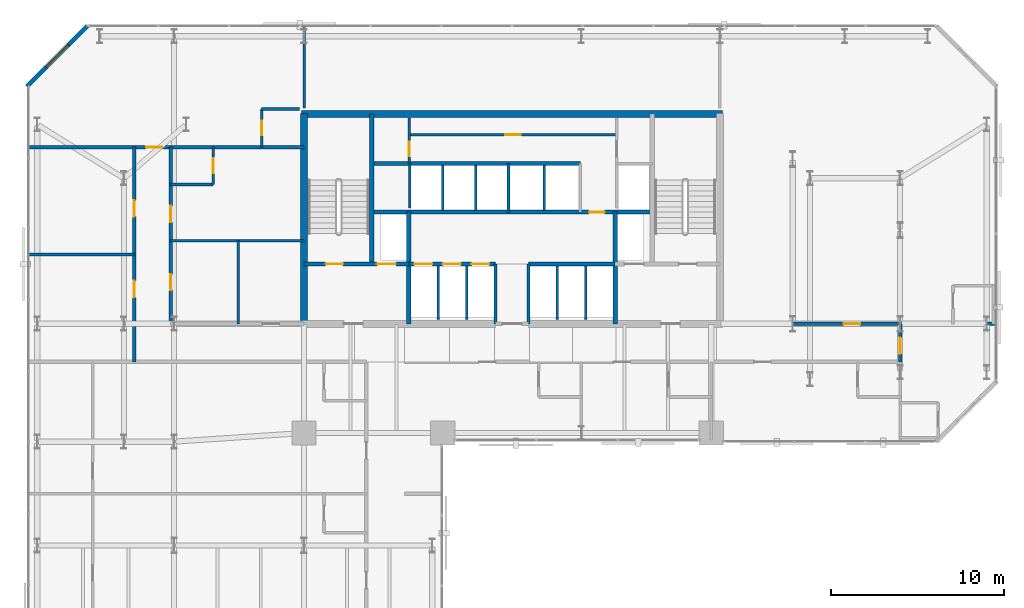
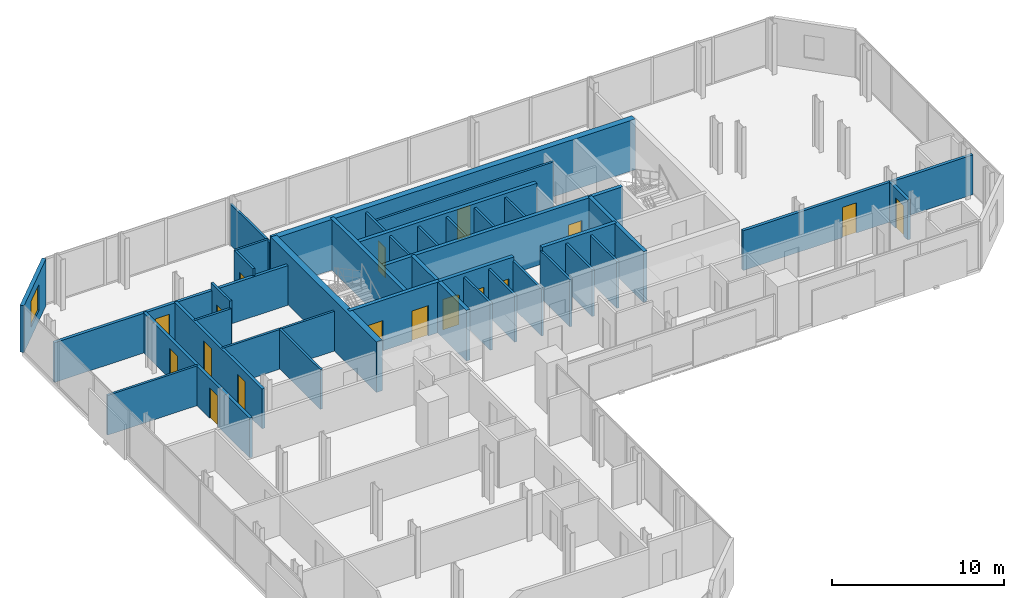
# One storey, part 30 of 33: 37 walls, 17 doors, 1 window, 18 openings.
"""IFC4 building model written with IfcOpenShell, lengths in metres."""

from ifc_helpers import new_model, si_unit, direction, frame, frame_2d, origin, place, context, subcontext, project, spatial, rectangle, extrude, material, layer, layer_set, type_object, element, fill, save


model = new_model("IFC4")

# Units and contexts
model_context = context("Model", 3, precision=1e-05, world=origin(), true_north=direction((0.0, 1.0)))
body_context = subcontext(model_context, "Body", "Model", "MODEL_VIEW")
ifc_project = project(units=[si_unit("LENGTHUNIT", "METRE"), si_unit("AREAUNIT", "SQUARE_METRE"), si_unit("VOLUMEUNIT", "CUBIC_METRE"), si_unit("PLANEANGLEUNIT", "RADIAN"), si_unit("MASSUNIT", "GRAM", prefix="KILO")], contexts=[model_context])

# Site, building, storey
site_placement = place(None, origin())
site = spatial("IfcSite", under=ifc_project, at=site_placement, CompositionType="ELEMENT")
building_placement = place(site_placement, origin())
building = spatial("IfcBuilding", under=site, at=building_placement, Name="Catumbela Crestline Tower", CompositionType="ELEMENT")
storey_placement = place(building_placement, frame((0.0, 0.0, 47.4)))
storey = spatial("IfcBuildingStorey", under=building, at=storey_placement, Name="L11", CompositionType="ELEMENT", Elevation=47.4)

# Walls
ifc_material_1 = material(Name="Concrete C50/60", Category="concrete")
ifc_layer_1 = layer(ifc_material_1, 0.25, Name="Concrete C50/60")
ifc_layer_set_1 = layer_set([ifc_layer_1], Name="Concrete C50/60")
wall_type_1 = type_object("IfcWallType", Name="CW-250D", PredefinedType="SHEAR", material=ifc_layer_set_1)
wall_1_placement = place(storey_placement, frame((19.9, 34.25, 0.0), z_axis=(0.0, 0.0, 1.0), x_axis=(0.0, 1.0, 0.0)))
element("IfcWall", 1, at=wall_1_placement, inside=storey, type_object=wall_type_1, Name="L11 Structural Core Shear Wall WWEB", PredefinedType="SHEAR", context=body_context, shape_type="SweptSolid", body=[
    extrude(rectangle(XDim=8.65, YDim=0.25, at=frame_2d((4.325, 0.0))), origin(), (0.0, 0.0, 1.0), 3.6),
])
for number, where, z_axis, x_axis, name in (
    (2, (22.05, 30.8, 0.0), (0.0, 0.0, 1.0), (0.0, 1.0, 0.0), "L11 Structural Core Shear Wall FFW"),
    (3, (33.95, 30.8, 0.0), (0.0, 0.0, 1.0), (0.0, 1.0, 0.0), "L11 Structural Core Shear Wall FFE"),
):
    element("IfcWall", number, at=place(storey_placement, frame(where, z_axis=z_axis, x_axis=x_axis)), inside=storey, type_object=wall_type_1, Name=name, PredefinedType="SHEAR", context=body_context, shape_type="SweptSolid", body=[
        extrude(rectangle(XDim=6.45, YDim=0.25, at=frame_2d((3.225, 0.0))), origin(), (0.0, 0.0, 1.0), 3.6),
    ])

# Wall, openings, doors
wall_2_placement = place(storey_placement, frame((16.0, 34.25, 0.0), z_axis=(0.0, 0.0, 1.0), x_axis=(1.0, 0.0, 0.0)))
wall_2 = element("IfcWall", 4, at=wall_2_placement, inside=storey, type_object=wall_type_1, Name="L11 Structural Core Shear Wall ST1S", PredefinedType="SHEAR", context=body_context, shape_type="SweptSolid", body=[
    extrude(rectangle(XDim=6.05, YDim=0.25, at=frame_2d((3.025, 0.0))), origin(), (0.0, 0.0, 1.0), 3.6),
])
opening_1_placement = place(wall_2_placement, frame((1.25, 0.0, 0.0)))
opening_1 = element("IfcOpeningElement", 5, at=opening_1_placement, cuts=wall_2, Name="Opening DF9-100", PredefinedType="OPENING", context=body_context, shape_type="SweptSolid", body=[
    extrude(rectangle(XDim=1.0, YDim=2.15, at=frame_2d((0.5, 1.075))), frame((0.0, 0.135, 0.0), z_axis=(0.0, -1.0, 0.0), x_axis=(1.0, 0.0, 0.0)), (0.0, 0.0, 1.0), 0.27),
])
opening_2_placement = place(wall_2_placement, frame((4.2, 0.0, 0.0)))
opening_2 = element("IfcOpeningElement", 6, at=opening_2_placement, cuts=wall_2, Name="Opening LD-110", PredefinedType="OPENING", context=body_context, shape_type="SweptSolid", body=[
    extrude(rectangle(XDim=1.1, YDim=2.15, at=frame_2d((0.55, 1.075))), frame((0.0, 0.135, 0.0), z_axis=(0.0, -1.0, 0.0), x_axis=(1.0, 0.0, 0.0)), (0.0, 0.0, 1.0), 0.27),
])
ifc_material_2 = material(Name="Stainless steel EN 1.4401", Category="steel")
door_type_1 = type_object("IfcDoorType", Name="DF9-100", OperationType="NOTDEFINED", PredefinedType="DOOR", material=ifc_material_2)
door_1_placement = place(opening_1_placement, origin())
door_1 = element("IfcDoor", 7, at=door_1_placement, inside=storey, type_object=door_type_1, Name="L11 Interior Door DR-L11-ST01", OperationType="SINGLE_SWING_LEFT", OverallHeight=2.15, OverallWidth=1.0, PredefinedType="DOOR", context=body_context, shape_type="SweptSolid", body=[
    extrude(rectangle(XDim=1.0, YDim=2.15, at=frame_2d((0.5, 1.075))), frame((0.0, 0.025, 0.0), z_axis=(0.0, -1.0, 0.0), x_axis=(1.0, 0.0, 0.0)), (0.0, 0.0, 1.0), 0.05),
])
fill(opening_1, door_1)
door_type_2 = type_object("IfcDoorType", Name="LD-110", OperationType="NOTDEFINED", PredefinedType="DOOR", material=ifc_material_2)
door_2_placement = place(opening_2_placement, origin())
door_2 = element("IfcDoor", 8, at=door_2_placement, inside=storey, type_object=door_type_2, Name="L11 Lift Landing Sliding Door FL-01", OperationType="DOUBLE_DOOR_SLIDING", OverallHeight=2.15, OverallWidth=1.1, PredefinedType="DOOR", context=body_context, shape_type="SweptSolid", body=[
    extrude(rectangle(XDim=1.1, YDim=2.15, at=frame_2d((0.55, 1.075))), frame((0.0, 0.025, 0.0), z_axis=(0.0, -1.0, 0.0), x_axis=(1.0, 0.0, 0.0)), (0.0, 0.0, 1.0), 0.05),
])
fill(opening_2, door_2)

wall_3_placement = place(storey_placement, frame((22.05, 34.25, 0.0), z_axis=(0.0, 0.0, 1.0), x_axis=(1.0, 0.0, 0.0)))
wall_3 = element("IfcWall", 9, at=wall_3_placement, inside=storey, type_object=wall_type_1, Name="L11 Structural Core Shear Wall LIFTS-W", PredefinedType="SHEAR", context=body_context, shape_type="SweptSolid", body=[
    extrude(rectangle(XDim=5.0, YDim=0.25, at=frame_2d((2.5, 0.0))), origin(), (0.0, 0.0, 1.0), 3.6),
])
opening_3_placement = place(wall_3_placement, frame((0.3, 0.0, 0.0)))
opening_3 = element("IfcOpeningElement", 10, at=opening_3_placement, cuts=wall_3, Name="Opening LD-105", PredefinedType="OPENING", context=body_context, shape_type="SweptSolid", body=[
    extrude(rectangle(XDim=1.05, YDim=2.15, at=frame_2d((0.525, 1.075))), frame((0.0, 0.135, 0.0), z_axis=(0.0, -1.0, 0.0), x_axis=(1.0, 0.0, 0.0)), (0.0, 0.0, 1.0), 0.27),
])
opening_4_placement = place(wall_3_placement, frame((1.95, 0.0, 0.0)))
opening_4 = element("IfcOpeningElement", 11, at=opening_4_placement, cuts=wall_3, Name="Opening LD-105", PredefinedType="OPENING", context=body_context, shape_type="SweptSolid", body=[
    extrude(rectangle(XDim=1.05, YDim=2.15, at=frame_2d((0.525, 1.075))), frame((0.0, 0.135, 0.0), z_axis=(0.0, -1.0, 0.0), x_axis=(1.0, 0.0, 0.0)), (0.0, 0.0, 1.0), 0.27),
])
opening_5_placement = place(wall_3_placement, frame((3.6, 0.0, 0.0)))
opening_5 = element("IfcOpeningElement", 12, at=opening_5_placement, cuts=wall_3, Name="Opening LD-105", PredefinedType="OPENING", context=body_context, shape_type="SweptSolid", body=[
    extrude(rectangle(XDim=1.05, YDim=2.15, at=frame_2d((0.525, 1.075))), frame((0.0, 0.135, 0.0), z_axis=(0.0, -1.0, 0.0), x_axis=(1.0, 0.0, 0.0)), (0.0, 0.0, 1.0), 0.27),
])
door_type_3 = type_object("IfcDoorType", Name="LD-105", OperationType="NOTDEFINED", PredefinedType="DOOR", material=ifc_material_2)
door_3_placement = place(opening_3_placement, origin())
door_3 = element("IfcDoor", 13, at=door_3_placement, inside=storey, type_object=door_type_3, Name="L11 Lift Landing Sliding Door PL-L1", OperationType="DOUBLE_DOOR_SLIDING", OverallHeight=2.15, OverallWidth=1.05, PredefinedType="DOOR", context=body_context, shape_type="SweptSolid", body=[
    extrude(rectangle(XDim=1.05, YDim=2.15, at=frame_2d((0.525, 1.075))), frame((0.0, 0.025, 0.0), z_axis=(0.0, -1.0, 0.0), x_axis=(1.0, 0.0, 0.0)), (0.0, 0.0, 1.0), 0.05),
])
fill(opening_3, door_3)
door_4_placement = place(opening_4_placement, origin())
door_4 = element("IfcDoor", 14, at=door_4_placement, inside=storey, type_object=door_type_3, Name="L11 Lift Landing Sliding Door PL-L2", OperationType="DOUBLE_DOOR_SLIDING", OverallHeight=2.15, OverallWidth=1.05, PredefinedType="DOOR", context=body_context, shape_type="SweptSolid", body=[
    extrude(rectangle(XDim=1.05, YDim=2.15, at=frame_2d((0.525, 1.075))), frame((0.0, 0.025, 0.0), z_axis=(0.0, -1.0, 0.0), x_axis=(1.0, 0.0, 0.0)), (0.0, 0.0, 1.0), 0.05),
])
fill(opening_4, door_4)
door_5_placement = place(opening_5_placement, origin())
door_5 = element("IfcDoor", 15, at=door_5_placement, inside=storey, type_object=door_type_3, Name="L11 Lift Landing Sliding Door PL-L3", OperationType="DOUBLE_DOOR_SLIDING", OverallHeight=2.15, OverallWidth=1.05, PredefinedType="DOOR", context=body_context, shape_type="SweptSolid", body=[
    extrude(rectangle(XDim=1.05, YDim=2.15, at=frame_2d((0.525, 1.075))), frame((0.0, 0.025, 0.0), z_axis=(0.0, -1.0, 0.0), x_axis=(1.0, 0.0, 0.0)), (0.0, 0.0, 1.0), 0.05),
])
fill(opening_5, door_5)

# Wall
wall_4_placement = place(storey_placement, frame((28.95, 34.25, 0.0), z_axis=(0.0, 0.0, 1.0), x_axis=(1.0, 0.0, 0.0)))
element("IfcWall", 16, at=wall_4_placement, inside=storey, type_object=wall_type_1, Name="L11 Structural Core Shear Wall LIFTS-E", PredefinedType="SHEAR", context=body_context, shape_type="SweptSolid", body=[
    extrude(rectangle(XDim=5.0, YDim=0.25, at=frame_2d((2.5, 0.0))), origin(), (0.0, 0.0, 1.0), 3.6),
])

# Wall, opening, door
wall_5_placement = place(storey_placement, frame((19.9, 37.25, 0.0), z_axis=(0.0, 0.0, 1.0), x_axis=(1.0, 0.0, 0.0)))
wall_5 = element("IfcWall", 17, at=wall_5_placement, inside=storey, type_object=wall_type_1, Name="L11 Structural Core Shear Wall LIFTN", PredefinedType="SHEAR", context=body_context, shape_type="SweptSolid", body=[
    extrude(rectangle(XDim=16.2, YDim=0.25, at=frame_2d((8.1, 0.0))), origin(), (0.0, 0.0, 1.0), 3.6),
])
opening_6_placement = place(wall_5_placement, frame((12.55, 0.0, 0.0)))
opening_6 = element("IfcOpeningElement", 18, at=opening_6_placement, cuts=wall_5, Name="Opening DF9-090", PredefinedType="OPENING", context=body_context, shape_type="SweptSolid", body=[
    extrude(rectangle(XDim=0.9, YDim=2.15, at=frame_2d((0.45, 1.075))), frame((0.0, 0.135, 0.0), z_axis=(0.0, -1.0, 0.0), x_axis=(1.0, 0.0, 0.0)), (0.0, 0.0, 1.0), 0.27),
])
door_type_4 = type_object("IfcDoorType", Name="DF9-090", OperationType="NOTDEFINED", PredefinedType="DOOR", material=ifc_material_2)
door_6_placement = place(opening_6_placement, origin())
door_6 = element("IfcDoor", 19, at=door_6_placement, inside=storey, type_object=door_type_4, Name="L11 Interior Door DR-L11-CPAS1", OperationType="SINGLE_SWING_LEFT", OverallHeight=2.15, OverallWidth=0.9, PredefinedType="DOOR", context=body_context, shape_type="SweptSolid", body=[
    extrude(rectangle(XDim=0.9, YDim=2.15, at=frame_2d((0.45, 1.075))), frame((0.0, 0.025, 0.0), z_axis=(0.0, -1.0, 0.0), x_axis=(1.0, 0.0, 0.0)), (0.0, 0.0, 1.0), 0.05),
])
fill(opening_6, door_6)

# Walls
wall_6_placement = place(storey_placement, frame((19.9, 40.05, 0.0), z_axis=(0.0, 0.0, 1.0), x_axis=(1.0, 0.0, 0.0)))
element("IfcWall", 20, at=wall_6_placement, inside=storey, type_object=wall_type_1, Name="L11 Structural Core Shear Wall COREN", PredefinedType="SHEAR", context=body_context, shape_type="SweptSolid", body=[
    extrude(rectangle(XDim=12.05, YDim=0.25, at=frame_2d((6.025, 0.0))), origin(), (0.0, 0.0, 1.0), 3.6),
])
ifc_material_3 = material(Name="Concrete C60/75", Category="concrete")
ifc_layer_2 = layer(ifc_material_3, 0.4, Name="Concrete C60/75")
ifc_layer_set_2 = layer_set([ifc_layer_2], Name="Concrete C60/75")
wall_type_2 = type_object("IfcWallType", Name="CW-400A", PredefinedType="SHEAR", material=ifc_layer_set_2)
wall_7_placement = place(storey_placement, frame((16.0, 30.65, 0.0), z_axis=(0.0, 0.0, 1.0), x_axis=(0.0, 1.0, 0.0)))
element("IfcWall", 21, at=wall_7_placement, inside=storey, type_object=wall_type_2, Name="L11 Structural Core Shear Wall W", PredefinedType="SHEAR", context=body_context, shape_type="SweptSolid", body=[
    extrude(rectangle(XDim=12.3, YDim=0.4, at=frame_2d((6.15, 0.0))), origin(), (0.0, 0.0, 1.0), 3.6),
])
wall_8_placement = place(storey_placement, frame((15.85, 42.9, 0.0), z_axis=(0.0, 0.0, 1.0), x_axis=(1.0, 0.0, 0.0)))
element("IfcWall", 22, at=wall_8_placement, inside=storey, type_object=wall_type_2, Name="L11 Structural Core Shear Wall N", PredefinedType="SHEAR", context=body_context, shape_type="SweptSolid", body=[
    extrude(rectangle(XDim=24.3, YDim=0.4, at=frame_2d((12.15, 0.0))), origin(), (0.0, 0.0, 1.0), 3.6),
])

# Wall, openings, doors
ifc_material_4 = material(Name="Acoustic gypsum and mineral-wool partition")
ifc_layer_3 = layer(ifc_material_4, 0.2, Name="Acoustic gypsum and mineral-wool partition")
ifc_layer_set_3 = layer_set([ifc_layer_3], Name="Acoustic gypsum and mineral-wool partition")
wall_type_3 = type_object("IfcWallType", Name="WC-200", PredefinedType="PARTITIONING", material=ifc_layer_set_3)
wall_9_placement = place(storey_placement, frame((8.3, 30.8, 0.0), z_axis=(0.0, 0.0, 1.0), x_axis=(0.0, 1.0, 0.0)))
wall_9 = element("IfcWall", 23, at=wall_9_placement, inside=storey, type_object=wall_type_3, Name="L11 Interior Partition PW-L11-AWC-W", PredefinedType="PARTITIONING", context=body_context, shape_type="SweptSolid", body=[
    extrude(rectangle(XDim=10.2, YDim=0.2, at=frame_2d((5.1, 0.0))), origin(), (0.0, 0.0, 1.0), 2.82),
])
opening_7_placement = place(wall_9_placement, frame((1.95, 0.0, 0.0)))
opening_7 = element("IfcOpeningElement", 24, at=opening_7_placement, cuts=wall_9, Name="Opening DI-090", PredefinedType="OPENING", context=body_context, shape_type="SweptSolid", body=[
    extrude(rectangle(XDim=0.9, YDim=2.15, at=frame_2d((0.45, 1.075))), frame((0.0, 0.11, 0.0), z_axis=(0.0, -1.0, 0.0), x_axis=(1.0, 0.0, 0.0)), (0.0, 0.0, 1.0), 0.22),
])
opening_8_placement = place(wall_9_placement, frame((5.8605, 0.0, 0.0)))
opening_8 = element("IfcOpeningElement", 25, at=opening_8_placement, cuts=wall_9, Name="Opening DF6-095", PredefinedType="OPENING", context=body_context, shape_type="SweptSolid", body=[
    extrude(rectangle(XDim=0.95, YDim=2.15, at=frame_2d((0.475, 1.075))), frame((0.0, 0.11, 0.0), z_axis=(0.0, -1.0, 0.0), x_axis=(1.0, 0.0, 0.0)), (0.0, 0.0, 1.0), 0.22),
])
ifc_material_5 = material(Name="Aluminium alloy AW-6060-T66", Category="aluminium")
door_type_5 = type_object("IfcDoorType", Name="DF6-095", OperationType="NOTDEFINED", PredefinedType="DOOR", material=ifc_material_5)
door_7_placement = place(opening_8_placement, origin())
door_7 = element("IfcDoor", 26, at=door_7_placement, inside=storey, type_object=door_type_5, Name="L11 Interior Door DR-L11-FSN-ENT", OperationType="SINGLE_SWING_RIGHT", OverallHeight=2.15, OverallWidth=0.95, PredefinedType="DOOR", context=body_context, shape_type="SweptSolid", body=[
    extrude(rectangle(XDim=0.95, YDim=2.15, at=frame_2d((0.475, 1.075))), frame((0.0, 0.025, 0.0), z_axis=(0.0, -1.0, 0.0), x_axis=(1.0, 0.0, 0.0)), (0.0, 0.0, 1.0), 0.05),
])
fill(opening_8, door_7)
door_type_6 = type_object("IfcDoorType", Name="DI-090", OperationType="NOTDEFINED", PredefinedType="DOOR", material=ifc_material_5)
door_8_placement = place(opening_7_placement, origin())
door_8 = element("IfcDoor", 27, at=door_8_placement, inside=storey, type_object=door_type_6, Name="L11 Interior Door DR-L11-STWC", OperationType="SINGLE_SWING_RIGHT", OverallHeight=2.15, OverallWidth=0.9, PredefinedType="DOOR", context=body_context, shape_type="SweptSolid", body=[
    extrude(rectangle(XDim=0.9, YDim=2.15, at=frame_2d((0.45, 1.075))), frame((0.0, 0.025, 0.0), z_axis=(0.0, -1.0, 0.0), x_axis=(1.0, 0.0, 0.0)), (0.0, 0.0, 1.0), 0.05),
])
fill(opening_7, door_8)

# Wall, opening, door
wall_10_placement = place(storey_placement, frame((0.1, 41.0, 0.0), z_axis=(0.0, 0.0, 1.0), x_axis=(1.0, 0.0, 0.0)))
wall_10 = element("IfcWall", 28, at=wall_10_placement, inside=storey, type_object=wall_type_3, Name="L11 Interior Partition PW-L11-NWTOP-ENT", PredefinedType="PARTITIONING", context=body_context, shape_type="SweptSolid", body=[
    extrude(rectangle(XDim=15.9, YDim=0.2, at=frame_2d((7.95, 0.0))), origin(), (0.0, 0.0, 1.0), 2.82),
])
opening_9_placement = place(wall_10_placement, frame((6.7788, 0.0, 0.0)))
opening_9 = element("IfcOpeningElement", 29, at=opening_9_placement, cuts=wall_10, Name="Opening DF6-095", PredefinedType="OPENING", context=body_context, shape_type="SweptSolid", body=[
    extrude(rectangle(XDim=0.95, YDim=2.15, at=frame_2d((0.475, 1.075))), frame((0.0, 0.11, 0.0), z_axis=(0.0, -1.0, 0.0), x_axis=(1.0, 0.0, 0.0)), (0.0, 0.0, 1.0), 0.22),
])
door_9_placement = place(opening_9_placement, origin())
door_9 = element("IfcDoor", 30, at=door_9_placement, inside=storey, type_object=door_type_5, Name="L11 Interior Door DR-L11-NWTOP-ENT", OperationType="SINGLE_SWING_LEFT", OverallHeight=2.15, OverallWidth=0.95, PredefinedType="DOOR", context=body_context, shape_type="SweptSolid", body=[
    extrude(rectangle(XDim=0.95, YDim=2.15, at=frame_2d((0.475, 1.075))), frame((0.0, 0.025, 0.0), z_axis=(0.0, -1.0, 0.0), x_axis=(1.0, 0.0, 0.0)), (0.0, 0.0, 1.0), 0.05),
])
fill(opening_9, door_9)

# Wall, openings, doors
wall_11_placement = place(storey_placement, frame((6.2, 28.6, 0.0), z_axis=(0.0, 0.0, 1.0), x_axis=(0.0, 1.0, 0.0)))
wall_11 = element("IfcWall", 31, at=wall_11_placement, inside=storey, type_object=wall_type_3, Name="L11 Interior Partition PW-L11-KCLB-ENT", PredefinedType="PARTITIONING", context=body_context, shape_type="SweptSolid", body=[
    extrude(rectangle(XDim=12.4, YDim=0.2, at=frame_2d((6.2, 0.0))), origin(), (0.0, 0.0, 1.0), 2.82),
])
opening_10_placement = place(wall_11_placement, frame((3.725, 0.0, 0.0)))
opening_10 = element("IfcOpeningElement", 32, at=opening_10_placement, cuts=wall_11, Name="Opening DF6-095", PredefinedType="OPENING", context=body_context, shape_type="SweptSolid", body=[
    extrude(rectangle(XDim=0.95, YDim=2.15, at=frame_2d((0.475, 1.075))), frame((0.0, 0.11, 0.0), z_axis=(0.0, -1.0, 0.0), x_axis=(1.0, 0.0, 0.0)), (0.0, 0.0, 1.0), 0.22),
])
opening_11_placement = place(wall_11_placement, frame((8.3808, 0.0, 0.0)))
opening_11 = element("IfcOpeningElement", 33, at=opening_11_placement, cuts=wall_11, Name="Opening DF6-095", PredefinedType="OPENING", context=body_context, shape_type="SweptSolid", body=[
    extrude(rectangle(XDim=0.95, YDim=2.15, at=frame_2d((0.475, 1.075))), frame((0.0, 0.11, 0.0), z_axis=(0.0, -1.0, 0.0), x_axis=(1.0, 0.0, 0.0)), (0.0, 0.0, 1.0), 0.22),
])
door_10_placement = place(opening_10_placement, origin())
door_10 = element("IfcDoor", 34, at=door_10_placement, inside=storey, type_object=door_type_5, Name="L11 Interior Door DR-L11-KCLB-ENT", OperationType="SINGLE_SWING_LEFT", OverallHeight=2.15, OverallWidth=0.95, PredefinedType="DOOR", context=body_context, shape_type="SweptSolid", body=[
    extrude(rectangle(XDim=0.95, YDim=2.15, at=frame_2d((0.475, 1.075))), frame((0.0, 0.025, 0.0), z_axis=(0.0, -1.0, 0.0), x_axis=(1.0, 0.0, 0.0)), (0.0, 0.0, 1.0), 0.05),
])
fill(opening_10, door_10)
door_11_placement = place(opening_11_placement, origin())
door_11 = element("IfcDoor", 35, at=door_11_placement, inside=storey, type_object=door_type_5, Name="L11 Interior Door DR-L11-FKIT-ENT", OperationType="SINGLE_SWING_LEFT", OverallHeight=2.15, OverallWidth=0.95, PredefinedType="DOOR", context=body_context, shape_type="SweptSolid", body=[
    extrude(rectangle(XDim=0.95, YDim=2.15, at=frame_2d((0.475, 1.075))), frame((0.0, 0.025, 0.0), z_axis=(0.0, -1.0, 0.0), x_axis=(1.0, 0.0, 0.0)), (0.0, 0.0, 1.0), 0.05),
])
fill(opening_11, door_11)

# Wall, opening, door
wall_12_placement = place(storey_placement, frame((40.47, 30.8, 0.0), z_axis=(0.0, 0.0, 1.0), x_axis=(1.0, 0.0, 0.0)))
wall_12 = element("IfcWall", 36, at=wall_12_placement, inside=storey, type_object=wall_type_3, Name="L11 Interior Partition PW-L11-NES-ENT", PredefinedType="PARTITIONING", context=body_context, shape_type="SweptSolid", body=[
    extrude(rectangle(XDim=15.43, YDim=0.2, at=frame_2d((7.715, 0.0))), origin(), (0.0, 0.0, 1.0), 2.82),
])
opening_12_placement = place(wall_12_placement, frame((6.6725, 0.0, 0.0)))
opening_12 = element("IfcOpeningElement", 37, at=opening_12_placement, cuts=wall_12, Name="Opening DF6-095", PredefinedType="OPENING", context=body_context, shape_type="SweptSolid", body=[
    extrude(rectangle(XDim=0.95, YDim=2.15, at=frame_2d((0.475, 1.075))), frame((0.0, 0.11, 0.0), z_axis=(0.0, -1.0, 0.0), x_axis=(1.0, 0.0, 0.0)), (0.0, 0.0, 1.0), 0.22),
])
door_12_placement = place(opening_12_placement, origin())
door_12 = element("IfcDoor", 38, at=door_12_placement, inside=storey, type_object=door_type_5, Name="L11 Interior Door DR-L11-NES-ENT", OperationType="SINGLE_SWING_LEFT", OverallHeight=2.15, OverallWidth=0.95, PredefinedType="DOOR", context=body_context, shape_type="SweptSolid", body=[
    extrude(rectangle(XDim=0.95, YDim=2.15, at=frame_2d((0.475, 1.075))), frame((0.0, 0.025, 0.0), z_axis=(0.0, -1.0, 0.0), x_axis=(1.0, 0.0, 0.0)), (0.0, 0.0, 1.0), 0.05),
])
fill(opening_12, door_12)

wall_13_placement = place(storey_placement, frame((50.4, 28.6, 0.0), z_axis=(0.0, 0.0, 1.0), x_axis=(0.0, 1.0, 0.0)))
wall_13 = element("IfcWall", 39, at=wall_13_placement, inside=storey, type_object=wall_type_3, Name="L11 Interior Partition PW-L11-NESE-ENT", PredefinedType="PARTITIONING", context=body_context, shape_type="SweptSolid", body=[
    extrude(rectangle(XDim=2.2, YDim=0.2, at=frame_2d((1.1, 0.0))), origin(), (0.0, 0.0, 1.0), 2.82),
])
opening_13_placement = place(wall_13_placement, frame((0.46, 0.0, 0.0)))
opening_13 = element("IfcOpeningElement", 40, at=opening_13_placement, cuts=wall_13, Name="Opening DF6-095", PredefinedType="OPENING", context=body_context, shape_type="SweptSolid", body=[
    extrude(rectangle(XDim=0.95, YDim=2.15, at=frame_2d((0.475, 1.075))), frame((0.0, 0.11, 0.0), z_axis=(0.0, -1.0, 0.0), x_axis=(1.0, 0.0, 0.0)), (0.0, 0.0, 1.0), 0.22),
])
door_13_placement = place(opening_13_placement, origin())
door_13 = element("IfcDoor", 41, at=door_13_placement, inside=storey, type_object=door_type_5, Name="L11 Interior Door DR-L11-NESE-ENT", OperationType="SINGLE_SWING_RIGHT", OverallHeight=2.15, OverallWidth=0.95, PredefinedType="DOOR", context=body_context, shape_type="SweptSolid", body=[
    extrude(rectangle(XDim=0.95, YDim=2.15, at=frame_2d((0.475, 1.075))), frame((0.0, 0.025, 0.0), z_axis=(0.0, -1.0, 0.0), x_axis=(1.0, 0.0, 0.0)), (0.0, 0.0, 1.0), 0.05),
])
fill(opening_13, door_13)

# Wall, opening, window
ifc_material_6 = material(Name="Angolan grey-ochre granite", Category="masonry")
ifc_layer_4 = layer(ifc_material_6, 0.25, Name="Angolan grey-ochre granite")
ifc_layer_set_4 = layer_set([ifc_layer_4], Name="Angolan grey-ochre granite")
wall_type_4 = type_object("IfcWallType", Name="WE-250", PredefinedType="STANDARD", material=ifc_layer_set_4)
wall_14_placement = place(storey_placement, frame((3.5, 48.0, 0.0), z_axis=(0.0, 0.0, 1.0), x_axis=(-0.707106781187, -0.707106781187, 0.0)))
wall_14 = element("IfcWall", 42, at=wall_14_placement, inside=storey, type_object=wall_type_4, Name="L11 Granite Punched Window Wall 8-1", PredefinedType="STANDARD", context=body_context, shape_type="SweptSolid", body=[
    extrude(rectangle(XDim=4.9497, YDim=0.25, at=frame_2d((2.4748, 0.0))), origin(), (0.0, 0.0, 1.0), 3.33),
])
opening_14_placement = place(wall_14_placement, frame((1.5749, 0.0, 0.75)))
opening_14 = element("IfcOpeningElement", 43, at=opening_14_placement, cuts=wall_14, Name="Opening WN-01", PredefinedType="OPENING", context=body_context, shape_type="SweptSolid", body=[
    extrude(rectangle(XDim=1.8, YDim=1.85, at=frame_2d((0.9, 0.925))), frame((0.0, 0.135, 0.0), z_axis=(0.0, -1.0, 0.0), x_axis=(1.0, 0.0, 0.0)), (0.0, 0.0, 1.0), 0.27),
])
ifc_material_7 = material(Name="Low-E laminated solar-control double glazing", Category="glass")
window_type = type_object("IfcWindowType", Name="WF-1800", PartitioningType="SINGLE_PANEL", PredefinedType="WINDOW", material=ifc_material_7)
window_placement = place(opening_14_placement, origin())
window = element("IfcWindow", 44, at=window_placement, inside=storey, type_object=window_type, Name="L11 Facade Vision Window 81", OverallHeight=1.85, OverallWidth=1.8, PartitioningType="SINGLE_PANEL", PredefinedType="WINDOW", context=body_context, shape_type="SweptSolid", body=[
    extrude(rectangle(XDim=1.8, YDim=1.85, at=frame_2d((0.9, 0.925))), frame((0.0, 0.03, 0.0), z_axis=(0.0, -1.0, 0.0), x_axis=(1.0, 0.0, 0.0)), (0.0, 0.0, 1.0), 0.06),
])
fill(opening_14, window)

# Wall, opening, door
ifc_layer_5 = layer(ifc_material_4, 0.15, Name="Acoustic gypsum and mineral-wool partition")
ifc_layer_set_5 = layer_set([ifc_layer_5], Name="Acoustic gypsum and mineral-wool partition")
wall_type_5 = type_object("IfcWallType", Name="WP-150", PredefinedType="PARTITIONING", material=ifc_layer_set_5)
wall_15_placement = place(storey_placement, frame((22.08, 40.05, 0.0), z_axis=(0.0, 0.0, 1.0), x_axis=(0.0, 1.0, 0.0)))
wall_15 = element("IfcWall", 45, at=wall_15_placement, inside=storey, type_object=wall_type_5, Name="L11 Interior Partition PW-L11-CR-WCW", PredefinedType="PARTITIONING", context=body_context, shape_type="SweptSolid", body=[
    extrude(rectangle(XDim=2.63, YDim=0.15, at=frame_2d((1.315, 0.0))), origin(), (0.0, 0.0, 1.0), 3.33),
])
opening_15_placement = place(wall_15_placement, frame((0.41, 0.0, 0.0)))
opening_15 = element("IfcOpeningElement", 46, at=opening_15_placement, cuts=wall_15, Name="Opening DI-085", PredefinedType="OPENING", context=body_context, shape_type="SweptSolid", body=[
    extrude(rectangle(XDim=0.85, YDim=2.15, at=frame_2d((0.425, 1.075))), frame((0.0, 0.085, 0.0), z_axis=(0.0, -1.0, 0.0), x_axis=(1.0, 0.0, 0.0)), (0.0, 0.0, 1.0), 0.17),
])
door_type_7 = type_object("IfcDoorType", Name="DI-085", OperationType="NOTDEFINED", PredefinedType="DOOR", material=ifc_material_5)
door_14_placement = place(opening_15_placement, origin())
door_14 = element("IfcDoor", 47, at=door_14_placement, inside=storey, type_object=door_type_7, Name="L11 Interior Door DR-L11-CRWC", OperationType="SINGLE_SWING_LEFT", OverallHeight=2.15, OverallWidth=0.85, PredefinedType="DOOR", context=body_context, shape_type="SweptSolid", body=[
    extrude(rectangle(XDim=0.85, YDim=2.15, at=frame_2d((0.425, 1.075))), frame((0.0, 0.025, 0.0), z_axis=(0.0, -1.0, 0.0), x_axis=(1.0, 0.0, 0.0)), (0.0, 0.0, 1.0), 0.05),
])
fill(opening_15, door_14)

wall_16_placement = place(storey_placement, frame((22.08, 41.72, 0.0), z_axis=(0.0, 0.0, 1.0), x_axis=(1.0, 0.0, 0.0)))
wall_16 = element("IfcWall", 48, at=wall_16_placement, inside=storey, type_object=wall_type_5, Name="L11 Interior Partition PW-L11-CR-MID", PredefinedType="PARTITIONING", context=body_context, shape_type="SweptSolid", body=[
    extrude(rectangle(XDim=11.97, YDim=0.15, at=frame_2d((5.985, 0.0))), origin(), (0.0, 0.0, 1.0), 3.33),
])
opening_16_placement = place(wall_16_placement, frame((5.535, 0.0, 0.0)))
opening_16 = element("IfcOpeningElement", 49, at=opening_16_placement, cuts=wall_16, Name="Opening DF9-090", PredefinedType="OPENING", context=body_context, shape_type="SweptSolid", body=[
    extrude(rectangle(XDim=0.9, YDim=2.15, at=frame_2d((0.45, 1.075))), frame((0.0, 0.085, 0.0), z_axis=(0.0, -1.0, 0.0), x_axis=(1.0, 0.0, 0.0)), (0.0, 0.0, 1.0), 0.17),
])
door_15_placement = place(opening_16_placement, origin())
door_15 = element("IfcDoor", 50, at=door_15_placement, inside=storey, type_object=door_type_4, Name="L11 Interior Door DR-L11-CRMID", OperationType="SINGLE_SWING_LEFT", OverallHeight=2.15, OverallWidth=0.9, PredefinedType="DOOR", context=body_context, shape_type="SweptSolid", body=[
    extrude(rectangle(XDim=0.9, YDim=2.15, at=frame_2d((0.45, 1.075))), frame((0.0, 0.025, 0.0), z_axis=(0.0, -1.0, 0.0), x_axis=(1.0, 0.0, 0.0)), (0.0, 0.0, 1.0), 0.05),
])
fill(opening_16, door_15)

# Walls
wall_17_placement = place(storey_placement, frame((8.3, 35.6, 0.0), z_axis=(0.0, 0.0, 1.0), x_axis=(1.0, 0.0, 0.0)))
element("IfcWall", 51, at=wall_17_placement, inside=storey, type_object=wall_type_5, Name="L11 Interior Partition PW-L11-HK-N", PredefinedType="PARTITIONING", context=body_context, shape_type="SweptSolid", body=[
    extrude(rectangle(XDim=7.7, YDim=0.15, at=frame_2d((3.85, 0.0))), origin(), (0.0, 0.0, 1.0), 2.82),
])
wall_18_placement = place(storey_placement, frame((12.2, 30.8, 0.0), z_axis=(0.0, 0.0, 1.0), x_axis=(0.0, 1.0, 0.0)))
element("IfcWall", 52, at=wall_18_placement, inside=storey, type_object=wall_type_5, Name="L11 Interior Partition PW-L11-HK-M", PredefinedType="PARTITIONING", context=body_context, shape_type="SweptSolid", body=[
    extrude(rectangle(XDim=4.8, YDim=0.15, at=frame_2d((2.4, 0.0))), origin(), (0.0, 0.0, 1.0), 2.82),
])
wall_19_placement = place(storey_placement, frame((13.55, 43.2, 0.0), z_axis=(0.0, 0.0, 1.0), x_axis=(1.0, 0.0, 0.0)))
element("IfcWall", 53, at=wall_19_placement, inside=storey, type_object=wall_type_5, Name="L11 Interior Partition PW-L11-NWTOP-BHW", PredefinedType="PARTITIONING", context=body_context, shape_type="SweptSolid", body=[
    extrude(rectangle(XDim=2.1897, YDim=0.15, at=frame_2d((1.0949, 0.0))), origin(), (0.0, 0.0, 1.0), 3.33),
])

# Wall, opening, door
wall_20_placement = place(storey_placement, frame((13.55, 41.0, 0.0), z_axis=(0.0, 0.0, 1.0), x_axis=(0.0, 1.0, 0.0)))
wall_20 = element("IfcWall", 54, at=wall_20_placement, inside=storey, type_object=wall_type_5, Name="L11 Interior Partition PW-L11-NWTOP-BWW", PredefinedType="PARTITIONING", context=body_context, shape_type="SweptSolid", body=[
    extrude(rectangle(XDim=2.2, YDim=0.15, at=frame_2d((1.1, 0.0))), origin(), (0.0, 0.0, 1.0), 3.33),
])
opening_17_placement = place(wall_20_placement, frame((0.675, 0.0, 0.0)))
opening_17 = element("IfcOpeningElement", 55, at=opening_17_placement, cuts=wall_20, Name="Opening DI-085", PredefinedType="OPENING", context=body_context, shape_type="SweptSolid", body=[
    extrude(rectangle(XDim=0.85, YDim=2.15, at=frame_2d((0.425, 1.075))), frame((0.0, 0.085, 0.0), z_axis=(0.0, -1.0, 0.0), x_axis=(1.0, 0.0, 0.0)), (0.0, 0.0, 1.0), 0.17),
])
door_16_placement = place(opening_17_placement, origin())
door_16 = element("IfcDoor", 56, at=door_16_placement, inside=storey, type_object=door_type_7, Name="L11 Interior Door DR-L11-NWTOP-BTH", OperationType="SINGLE_SWING_RIGHT", OverallHeight=2.15, OverallWidth=0.85, PredefinedType="DOOR", context=body_context, shape_type="SweptSolid", body=[
    extrude(rectangle(XDim=0.85, YDim=2.15, at=frame_2d((0.425, 1.075))), frame((0.0, 0.025, 0.0), z_axis=(0.0, -1.0, 0.0), x_axis=(1.0, 0.0, 0.0)), (0.0, 0.0, 1.0), 0.05),
])
fill(opening_17, door_16)

# Walls
wall_21_placement = place(storey_placement, frame((0.1, 34.8, 0.0), z_axis=(0.0, 0.0, 1.0), x_axis=(1.0, 0.0, 0.0)))
element("IfcWall", 57, at=wall_21_placement, inside=storey, type_object=wall_type_5, Name="L11 Interior Partition PW-L11-G2-1", PredefinedType="PARTITIONING", context=body_context, shape_type="SweptSolid", body=[
    extrude(rectangle(XDim=6.1, YDim=0.15, at=frame_2d((3.05, 0.0))), origin(), (0.0, 0.0, 1.0), 2.82),
])
wall_22_placement = place(storey_placement, frame((8.3, 38.84, 0.0), z_axis=(0.0, 0.0, 1.0), x_axis=(1.0, 0.0, 0.0)))
element("IfcWall", 58, at=wall_22_placement, inside=storey, type_object=wall_type_5, Name="L11 Interior Partition PW-L11-FSN-BSW", PredefinedType="PARTITIONING", context=body_context, shape_type="SweptSolid", body=[
    extrude(rectangle(XDim=2.45, YDim=0.15, at=frame_2d((1.225, 0.0))), origin(), (0.0, 0.0, 1.0), 2.82),
])

# Wall, opening, door
wall_23_placement = place(storey_placement, frame((10.75, 38.84, 0.0), z_axis=(0.0, 0.0, 1.0), x_axis=(0.0, 1.0, 0.0)))
wall_23 = element("IfcWall", 59, at=wall_23_placement, inside=storey, type_object=wall_type_5, Name="L11 Interior Partition PW-L11-FSN-BEW", PredefinedType="PARTITIONING", context=body_context, shape_type="SweptSolid", body=[
    extrude(rectangle(XDim=2.16, YDim=0.15, at=frame_2d((1.08, 0.0))), origin(), (0.0, 0.0, 1.0), 3.33),
])
opening_18_placement = place(wall_23_placement, frame((0.655, 0.0, 0.0)))
opening_18 = element("IfcOpeningElement", 60, at=opening_18_placement, cuts=wall_23, Name="Opening DI-085", PredefinedType="OPENING", context=body_context, shape_type="SweptSolid", body=[
    extrude(rectangle(XDim=0.85, YDim=2.15, at=frame_2d((0.425, 1.075))), frame((0.0, 0.085, 0.0), z_axis=(0.0, -1.0, 0.0), x_axis=(1.0, 0.0, 0.0)), (0.0, 0.0, 1.0), 0.17),
])
door_17_placement = place(opening_18_placement, origin())
door_17 = element("IfcDoor", 61, at=door_17_placement, inside=storey, type_object=door_type_7, Name="L11 Interior Door DR-L11-FSN-BTH", OperationType="SINGLE_SWING_LEFT", OverallHeight=2.15, OverallWidth=0.85, PredefinedType="DOOR", context=body_context, shape_type="SweptSolid", body=[
    extrude(rectangle(XDim=0.85, YDim=2.15, at=frame_2d((0.425, 1.075))), frame((0.0, 0.025, 0.0), z_axis=(0.0, -1.0, 0.0), x_axis=(1.0, 0.0, 0.0)), (0.0, 0.0, 1.0), 0.05),
])
fill(opening_18, door_17)

# Walls
wall_24_placement = place(storey_placement, frame((16.0, 43.27, 0.0), z_axis=(0.0, 0.0, 1.0), x_axis=(0.0, 1.0, 0.0)))
element("IfcWall", 62, at=wall_24_placement, inside=storey, type_object=wall_type_5, Name="L11 Interior Partition PW-L11-NCF-W", PredefinedType="PARTITIONING", context=body_context, shape_type="SweptSolid", body=[
    extrude(rectangle(XDim=4.63, YDim=0.15, at=frame_2d((2.315, 0.0))), origin(), (0.0, 0.0, 1.0), 2.93),
])
ifc_layer_6 = layer(ifc_material_4, 0.15, Name="Acoustic gypsum and mineral-wool partition")
ifc_layer_set_6 = layer_set([ifc_layer_6], Name="Acoustic gypsum and mineral-wool partition")
wall_type_6 = type_object("IfcWallType", Name="WS-150", PredefinedType="PLUMBINGWALL", material=ifc_layer_set_6)
for number, where, z_axis, x_axis, name in (
    (63, (27.05, 30.8, 0.0), (0.0, 0.0, 1.0), (0.0, 1.0, 0.0), "L11 Interior Partition PW-L11-THRW"),
    (64, (28.95, 30.8, 0.0), (0.0, 0.0, 1.0), (0.0, 1.0, 0.0), "L11 Interior Partition PW-L11-THRE"),
):
    element("IfcWall", number, at=place(storey_placement, frame(where, z_axis=z_axis, x_axis=x_axis)), inside=storey, type_object=wall_type_6, Name=name, PredefinedType="PLUMBINGWALL", context=body_context, shape_type="SweptSolid", body=[
        extrude(rectangle(XDim=3.45, YDim=0.15, at=frame_2d((1.725, 0.0))), origin(), (0.0, 0.0, 1.0), 3.33),
    ])
for number, where, z_axis, x_axis, name in (
    (65, (23.75, 31.05, 0.0), (0.0, 0.0, 1.0), (0.0, 1.0, 0.0), "L11 Interior Partition PW-L11-SHL1"),
    (66, (25.4, 31.05, 0.0), (0.0, 0.0, 1.0), (0.0, 1.0, 0.0), "L11 Interior Partition PW-L11-SHL2"),
    (67, (30.6, 31.05, 0.0), (0.0, 0.0, 1.0), (0.0, 1.0, 0.0), "L11 Interior Partition PW-L11-SHM1"),
    (68, (32.25, 31.05, 0.0), (0.0, 0.0, 1.0), (0.0, 1.0, 0.0), "L11 Interior Partition PW-L11-SHM2"),
):
    element("IfcWall", number, at=place(storey_placement, frame(where, z_axis=z_axis, x_axis=x_axis)), inside=storey, type_object=wall_type_6, Name=name, PredefinedType="PLUMBINGWALL", context=body_context, shape_type="SweptSolid", body=[
        extrude(rectangle(XDim=3.1, YDim=0.15, at=frame_2d((1.55, 0.0))), origin(), (0.0, 0.0, 1.0), 3.33),
    ])
wall_25_placement = place(storey_placement, frame((22.1, 37.4897, 0.0), z_axis=(0.0, 0.0, 1.0), x_axis=(0.0, 1.0, 0.0)))
element("IfcWall", 69, at=wall_25_placement, inside=storey, type_object=wall_type_6, Name="L11 Interior Partition PW-L11-SHH0", PredefinedType="PLUMBINGWALL", context=body_context, shape_type="SweptSolid", body=[
    extrude(rectangle(XDim=2.5603, YDim=0.15, at=frame_2d((1.2801, 0.0))), origin(), (0.0, 0.0, 1.0), 3.33),
])
wall_26_placement = place(storey_placement, frame((27.8, 37.25, 0.0), z_axis=(0.0, 0.0, 1.0), x_axis=(0.0, 1.0, 0.0)))
element("IfcWall", 70, at=wall_26_placement, inside=storey, type_object=wall_type_6, Name="L11 Interior Partition PW-L11-SHH3", PredefinedType="PLUMBINGWALL", context=body_context, shape_type="SweptSolid", body=[
    extrude(rectangle(XDim=2.8, YDim=0.15, at=frame_2d((1.4, 0.0))), origin(), (0.0, 0.0, 1.0), 3.33),
])
for number, where, z_axis, x_axis, name in (
    (71, (24.0, 37.35, 0.0), (0.0, 0.0, 1.0), (0.0, 1.0, 0.0), "L11 Interior Partition PW-L11-SHH1"),
    (72, (25.9, 37.35, 0.0), (0.0, 0.0, 1.0), (0.0, 1.0, 0.0), "L11 Interior Partition PW-L11-SHH2"),
    (73, (29.85, 37.35, 0.0), (0.0, 0.0, 1.0), (0.0, 1.0, 0.0), "L11 Interior Partition PW-L11-SHEX1"),
):
    element("IfcWall", number, at=place(storey_placement, frame(where, z_axis=z_axis, x_axis=x_axis)), inside=storey, type_object=wall_type_6, Name=name, PredefinedType="PLUMBINGWALL", context=body_context, shape_type="SweptSolid", body=[
        extrude(rectangle(XDim=2.6, YDim=0.15, at=frame_2d((1.3, 0.0))), origin(), (0.0, 0.0, 1.0), 3.33),
    ])

save(model, "model.ifc")
